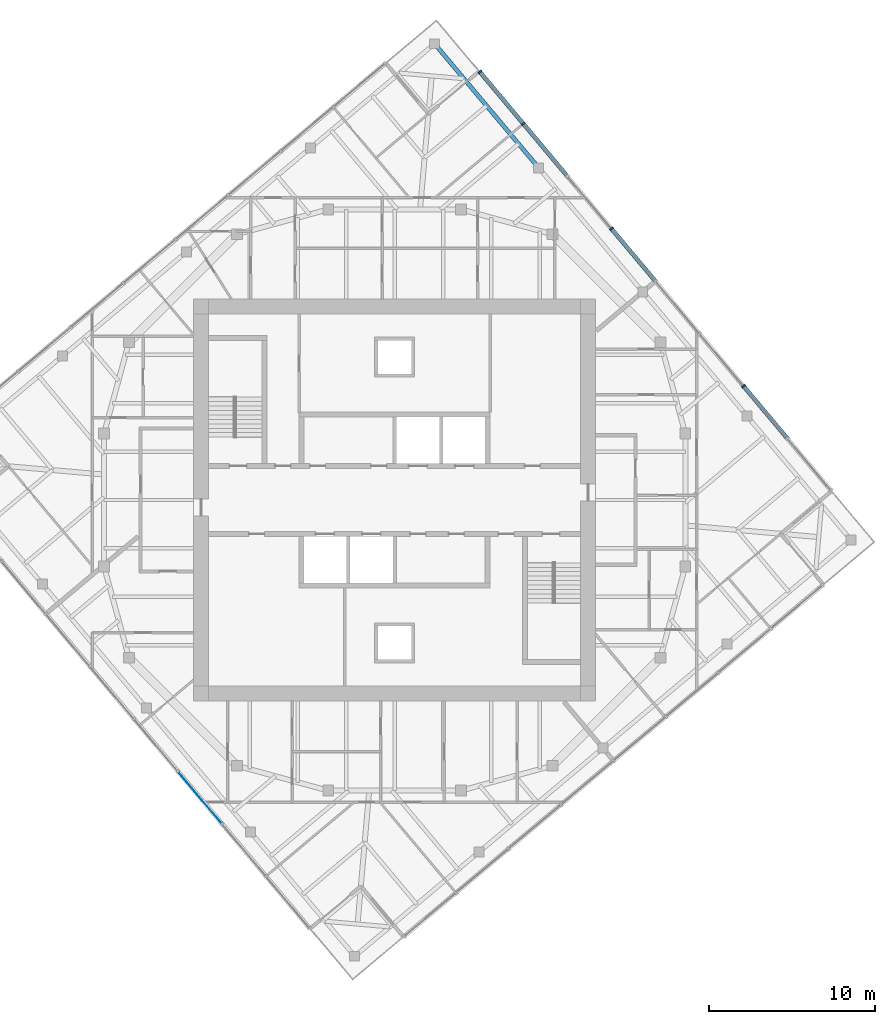
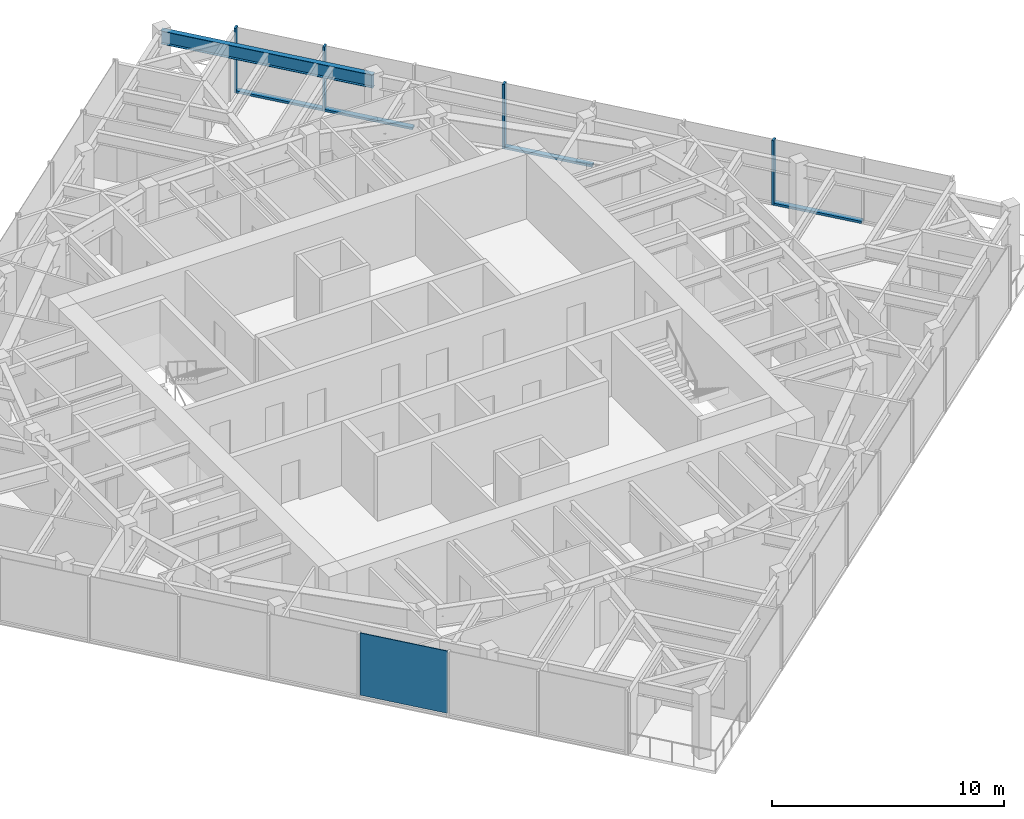
# One storey, part 5 of 12: 8 members, 1 beam, 1 plate, 2 elements without a shape of their own.
"""IFC4 building model written with IfcOpenShell, lengths in metres."""

import ifcopenshell
import ifcopenshell.guid

model = None  # the IFC model being written
_history = None  # IfcOwnerHistory: only IFC2X3 demands one
_inside = {}  # id of a spatial element -> (the spatial element, [elements in it])
_under = {}  # id of a project, library or spatial element -> (it, [spatial elements below it])
_declared = {}  # id of a project -> (the project, [libraries it declares])
_typed = {}  # id of a type object -> (the type object, [elements of that type])
_made_of = {}  # id of a material, layer set ... -> (it, [elements and type objects made of it])


def new_model(schema):
    """Start an empty IFC model of exactly this schema.

    Asked for "IFC4X3", IfcOpenShell would pick the latest addendum, in which some entities
    have other attributes; the version numbers below select the first issue.
    IFC2X3 requires an IfcOwnerHistory on every rooted entity: one is made here for all.
    """
    global model, _history
    if schema == "IFC4X3":
        model = ifcopenshell.file(schema_version=(4, 3, 0, 0))
    else:
        model = ifcopenshell.file(schema=schema)
    _inside.clear()
    _under.clear()
    _declared.clear()
    _typed.clear()
    _made_of.clear()
    _history = None
    if model.schema == "IFC2X3":
        org = make("IfcOrganization", Name="unknown")
        user = make(
            "IfcPersonAndOrganization",
            ThePerson=make("IfcPerson", FamilyName="unknown"),
            TheOrganization=org,
        )
        app = make(
            "IfcApplication",
            ApplicationDeveloper=org,
            Version="unknown",
            ApplicationFullName="unknown",
            ApplicationIdentifier="unknown",
        )
        _history = make(
            "IfcOwnerHistory",
            OwningUser=user,
            OwningApplication=app,
            ChangeAction="ADDED",
            CreationDate=0,
        )
    return model


def make(cls, **values):
    """One entity of the class cls with the attributes given. An attribute that is None is left unset."""
    return model.create_entity(
        cls, **{name: value for name, value in values.items() if value is not None}
    )


def rooted(cls, **values):
    """An entity with a GlobalId (a new one), such as an element, a storey or a relation."""
    return make(cls, GlobalId=ifcopenshell.guid.new(), OwnerHistory=_history, **values)


def si_unit(unit_type, name, prefix=None):
    """IfcSIUnit, for example si_unit("LENGTHUNIT", "METRE", prefix="MILLI")."""
    return make("IfcSIUnit", UnitType=unit_type, Prefix=prefix, Name=name)


def assignment(units):
    """IfcUnitAssignment: the units of a project."""
    return None if units is None else make("IfcUnitAssignment", Units=units)


def point(xyz):
    """IfcCartesianPoint."""
    return None if xyz is None else make("IfcCartesianPoint", Coordinates=xyz)


def direction(xyz):
    """IfcDirection."""
    return None if xyz is None else make("IfcDirection", DirectionRatios=xyz)


def frame(location, z_axis=None, x_axis=None):
    """IfcAxis2Placement3D, a coordinate frame: its origin and axes. An axis left out is left unset."""
    return make(
        "IfcAxis2Placement3D",
        Location=point(location),
        Axis=direction(z_axis),
        RefDirection=direction(x_axis),
    )


def frame_2d(location, x_axis=None):
    """IfcAxis2Placement2D, a coordinate frame in the plane: its origin and x axis."""
    return make(
        "IfcAxis2Placement2D", Location=point(location), RefDirection=direction(x_axis)
    )


def origin():
    """The frame at (0, 0, 0) with its axes left unset."""
    return frame((0.0, 0.0, 0.0))


def origin_2d():
    """The frame at (0, 0) in the plane with its x axis left unset."""
    return frame_2d((0.0, 0.0))


def place(relative_to, where):
    """IfcLocalPlacement: puts the frame where relative to a parent placement (None: the world)."""
    return make(
        "IfcLocalPlacement", PlacementRelTo=relative_to, RelativePlacement=where
    )


def context(
    kind, dimensions, precision=None, world=None, true_north=None, identifier=None
):
    """IfcGeometricRepresentationContext, for example the 3D "Model" context."""
    return make(
        "IfcGeometricRepresentationContext",
        ContextIdentifier=identifier,
        ContextType=kind,
        CoordinateSpaceDimension=dimensions,
        Precision=precision,
        WorldCoordinateSystem=world,
        TrueNorth=true_north,
    )


def subcontext(parent, identifier, kind, view, scale=None):
    """IfcGeometricRepresentationSubContext, for example "Body" below "Model"."""
    return make(
        "IfcGeometricRepresentationSubContext",
        ContextIdentifier=identifier,
        ContextType=kind,
        ParentContext=parent,
        TargetScale=scale,
        TargetView=view,
    )


def project(units=None, contexts=None):
    """IfcProject with its units and contexts."""
    return rooted(
        "IfcProject",
        Name="project",
        RepresentationContexts=contexts,
        UnitsInContext=assignment(units),
    )


def spatial(cls, under=None, at=None, **own):
    """A site, building, storey or space (cls), placed at a placement, below another one or the project."""
    s = rooted(cls, ObjectPlacement=at, **own)
    if under is not None:
        _under.setdefault(under.id(), (under, []))[1].append(s)
    return s


def profile(cls, at=None, kind="AREA", **sizes):
    """A parametric profile (cls). Its sizes go by their IFC names, for example OverallWidth=200.0."""
    return make(cls, ProfileType=kind, Position=at, **sizes)


def rectangle(**sizes):
    """IfcRectangleProfileDef."""
    return profile("IfcRectangleProfileDef", **sizes)


def i_section(**sizes):
    """IfcIShapeProfileDef."""
    return profile("IfcIShapeProfileDef", **sizes)


def extrude(swept, where, along, depth):
    """IfcExtrudedAreaSolid: the profile swept, set in the frame where, extruded along a direction by depth."""
    return make(
        "IfcExtrudedAreaSolid",
        SweptArea=swept,
        Position=where,
        ExtrudedDirection=direction(along),
        Depth=depth,
    )


def shape(context_of_items, identifier, shape_type, items):
    """IfcShapeRepresentation: the items that make up one representation, for example the "Body"."""
    return make(
        "IfcShapeRepresentation",
        ContextOfItems=context_of_items,
        RepresentationIdentifier=identifier,
        RepresentationType=shape_type,
        Items=items,
    )


def material(Name=None, Category=None):
    """IfcMaterial."""
    return make("IfcMaterial", Name=Name, Category=Category)


def layer(
    of_material, thickness, ventilated=None, Name=None, Category=None, Priority=None
):
    """IfcMaterialLayer: one layer of a wall or slab, of a material (None: an air gap)."""
    return make(
        "IfcMaterialLayer",
        Material=of_material,
        LayerThickness=thickness,
        IsVentilated=ventilated,
        Name=Name,
        Category=Category,
        Priority=Priority,
    )


def layer_set(layers, Name=None):
    """IfcMaterialLayerSet."""
    return make("IfcMaterialLayerSet", MaterialLayers=layers, LayerSetName=Name)


def material_profile(
    of_material, cross_section, Name=None, Category=None, Priority=None
):
    """IfcMaterialProfile: a cross section and its material."""
    return make(
        "IfcMaterialProfile",
        Name=Name,
        Material=of_material,
        Profile=cross_section,
        Priority=Priority,
        Category=Category,
    )


def profile_set(profiles, Name=None, composite=None):
    """IfcMaterialProfileSet."""
    return make(
        "IfcMaterialProfileSet",
        Name=Name,
        MaterialProfiles=profiles,
        CompositeProfile=composite,
    )


def made_of(thing, what):
    """Note that an element or type object is made of a material, layer set ...; save() writes the relation."""
    if what is not None:
        _made_of.setdefault(what.id(), (what, []))[1].append(thing)
    return thing


def type_object(cls, material=None, **own):
    """A type object (cls), such as IfcWallType, which elements share."""
    return made_of(rooted(cls, **own), material)


def element(
    cls,
    number,
    at=None,
    inside=None,
    cuts=None,
    type_object=None,
    material=None,
    context=None,
    identifier="Body",
    shape_type=None,
    held_by="IfcProductDefinitionShape",
    body=None,
    shapes=None,
    **own,
):
    """One element of the class cls, such as IfcWall. Its Tag is "e" and its number.

    at: its placement. inside: the storey or other place that contains it. cuts: it is an
    opening in that element (IfcRelVoidsElement). A single representation is given by context,
    identifier, shape_type and body (its items); several are given by shapes. held_by: the class
    of the entity that holds the representations. save() writes the other relations.
    """
    e = rooted(cls, Tag="e%d" % number, ObjectPlacement=at, **own)
    if body is not None:
        shapes = [shape(context, identifier, shape_type, body)]
    if shapes is not None:
        e.Representation = make(held_by, Representations=shapes)
    if inside is not None:
        _inside.setdefault(inside.id(), (inside, []))[1].append(e)
    if cuts is not None:
        rooted(
            "IfcRelVoidsElement", RelatingBuildingElement=cuts, RelatedOpeningElement=e
        )
    if type_object is not None:
        _typed.setdefault(type_object.id(), (type_object, []))[1].append(e)
    return made_of(e, material)


def aggregate(whole, parts):
    """IfcRelAggregates: a whole, such as a stair, and the parts it consists of."""
    return rooted("IfcRelAggregates", RelatingObject=whole, RelatedObjects=parts)


def save(model, path):
    """Write the relations noted so far, then the file.

    IfcRelAggregates (storeys below a building ...), IfcRelContainedInSpatialStructure (elements
    in a storey), IfcRelDefinesByType, IfcRelAssociatesMaterial and IfcRelDeclares: one each for
    every whole, place, type object, material and project.
    """
    for whole, parts in _under.values():
        aggregate(whole, parts)
    for where, things in _inside.values():
        rooted(
            "IfcRelContainedInSpatialStructure",
            RelatedElements=things,
            RelatingStructure=where,
        )
    for kind, things in _typed.values():
        rooted("IfcRelDefinesByType", RelatedObjects=things, RelatingType=kind)
    for what, things in _made_of.values():
        rooted("IfcRelAssociatesMaterial", RelatedObjects=things, RelatingMaterial=what)
    for by, libraries in _declared.values():
        rooted("IfcRelDeclares", RelatingContext=by, RelatedDefinitions=libraries)
    model.write(path)


model = new_model("IFC4")

# Units and contexts
model_context = context("Model", 3, precision=1e-05, world=origin(), true_north=direction((0.0, 1.0)))
body_context = subcontext(model_context, "Body", "Model", "MODEL_VIEW")
ifc_project = project(units=[si_unit("LENGTHUNIT", "METRE"), si_unit("AREAUNIT", "SQUARE_METRE"), si_unit("VOLUMEUNIT", "CUBIC_METRE"), si_unit("PLANEANGLEUNIT", "RADIAN"), si_unit("MASSUNIT", "GRAM", prefix="KILO")], contexts=[model_context])

# Site, building, storey
site_placement = place(None, origin())
site = spatial("IfcSite", under=ifc_project, at=site_placement, CompositionType="ELEMENT")
building_placement = place(site_placement, origin())
building = spatial("IfcBuilding", under=site, at=building_placement, Name="Torsade Residences", CompositionType="ELEMENT")
storey_placement = place(building_placement, frame((0.0, 0.0, 296.39990234375)))
storey = spatial("IfcBuildingStorey", under=building, at=storey_placement, Name="L82", CompositionType="ELEMENT", Elevation=296.39990234375)

# Beam
ifc_material_1 = material(Name="Steel grade 300", Category="steel")
ifc_material_profile_1 = material_profile(ifc_material_1, i_section(OverallWidth=0.25, OverallDepth=0.699951171875, WebThickness=0.010009765625, FlangeThickness=0.02001953125, at=origin_2d()), Name="700WB130")
ifc_profile_set_1 = profile_set([ifc_material_profile_1], Name="Steel grade 300")
beam_type = type_object("IfcBeamType", Name="EDGE BEAM 700WB130", PredefinedType="SPANDREL", material=ifc_profile_set_1)
beam_placement = place(storey_placement, frame((48.670654296875, 50.003173828125, 2.85009765625), z_axis=(-0.642779160279, 0.766051532934, 0.0), x_axis=(-0.766051532934, -0.642779160279, 0.0)))
element("IfcBeam", 1, at=beam_placement, inside=storey, type_object=beam_type, Name="Edge beam 08 L83", PredefinedType="SPANDREL", context=body_context, shape_type="SweptSolid", body=[
    extrude(i_section(OverallWidth=0.25, OverallDepth=0.699951171875, WebThickness=0.010009765625, FlangeThickness=0.02001953125, at=origin_2d()), origin(), (0.0, 0.0, 1.0), 9.75),
])

# Curtain wall, members
ifc_material_2 = material(Name="Aluminium and glass", Category="aluminium")
curtain_wall_type = type_object("IfcCurtainWallType", Name="FRITTED GLASS CURTAIN WALL HIGH ZONE", PredefinedType="NOTDEFINED", material=ifc_material_2)
curtain_wall_1_placement = place(storey_placement, origin())
curtain_wall_1 = element("IfcCurtainWall", 2, at=curtain_wall_1_placement, inside=storey, type_object=curtain_wall_type, Name="Curtain wall L82 face 4", PredefinedType="NOTDEFINED")
ifc_material_3 = material(Name="Aluminium mullion", Category="aluminium")
ifc_material_profile_2 = material_profile(ifc_material_3, rectangle(XDim=0.25, YDim=0.10009765625, at=origin_2d()), Name="HIGH ZONE CURTAIN WALL MULLION 250x100")
ifc_profile_set_2 = profile_set([ifc_material_profile_2], Name="Aluminium mullion")
member_type_1 = type_object("IfcMemberType", Name="HIGH ZONE CURTAIN WALL MULLION 250x100", PredefinedType="MULLION", material=ifc_profile_set_2)
member_1_placement = place(storey_placement, frame((61.0068359375, 36.857177734375, 0.0), z_axis=(0.0, 0.0, 1.0), x_axis=(-0.766044437106, -0.642787616853, 0.0)))
member_1 = element("IfcMember", 3, at=member_1_placement, type_object=member_type_1, Name="Mullion 3", PredefinedType="MULLION", context=body_context, shape_type="SweptSolid", body=[
    extrude(rectangle(XDim=0.25, YDim=0.10009765625, at=origin_2d()), origin(), (0.0, 0.0, 1.0), 3.400146484375),
])
member_2_placement = place(storey_placement, frame((53.052490234375, 46.337158203125, 0.0), z_axis=(0.0, 0.0, 1.0), x_axis=(-0.766044437106, -0.642787616853, 0.0)))
member_2 = element("IfcMember", 4, at=member_2_placement, type_object=member_type_1, Name="Mullion 6", PredefinedType="MULLION", context=body_context, shape_type="SweptSolid", body=[
    extrude(rectangle(XDim=0.25, YDim=0.10009765625, at=origin_2d()), origin(), (0.0, 0.0, 1.0), 3.400146484375),
])
member_3_placement = place(storey_placement, frame((47.74951171875, 52.656982421875, 0.0), z_axis=(0.0, 0.0, 1.0), x_axis=(-0.766044437106, -0.642787616853, 0.0)))
member_3 = element("IfcMember", 5, at=member_3_placement, type_object=member_type_1, Name="Mullion 8", PredefinedType="MULLION", context=body_context, shape_type="SweptSolid", body=[
    extrude(rectangle(XDim=0.25, YDim=0.10009765625, at=origin_2d()), origin(), (0.0, 0.0, 1.0), 3.400146484375),
])
member_4_placement = place(storey_placement, frame((45.130126953125, 55.778564453125, 0.0), z_axis=(0.0, 0.0, 1.0), x_axis=(-0.766044437106, -0.642787616853, 0.0)))
member_4 = element("IfcMember", 6, at=member_4_placement, type_object=member_type_1, Name="Mullion 9", PredefinedType="MULLION", context=body_context, shape_type="SweptSolid", body=[
    extrude(rectangle(XDim=0.25, YDim=0.10009765625, at=origin_2d()), origin(), (0.0, 0.0, 1.0), 3.400146484375),
])
ifc_material_4 = material(Name="Aluminium transom", Category="aluminium")
ifc_material_profile_3 = material_profile(ifc_material_4, rectangle(XDim=0.25, YDim=0.1201171875, at=origin_2d()), Name="HIGH ZONE CURTAIN WALL TRANSOM 250x120")
ifc_profile_set_3 = profile_set([ifc_material_profile_3], Name="Aluminium transom")
member_type_2 = type_object("IfcMemberType", Name="HIGH ZONE CURTAIN WALL TRANSOM 250x120", PredefinedType="USERDEFINED", material=ifc_profile_set_3)
member_5_placement = place(storey_placement, frame((63.626220703125, 33.735595703125, 0.06005859375), z_axis=(-0.6427581255, 0.766069182322, 0.0), x_axis=(-0.766069182322, -0.6427581255, 0.0)))
member_5 = element("IfcMember", 7, at=member_5_placement, type_object=member_type_2, Name="Transom 2.1", ObjectType="TRANSOM", PredefinedType="USERDEFINED", context=body_context, shape_type="SweptSolid", body=[
    extrude(rectangle(XDim=0.25, YDim=0.1201171875, at=origin_2d()), origin(), (0.0, 0.0, 1.0), 4.025146484375),
])
member_6_placement = place(storey_placement, frame((55.671875, 43.21533203125, 0.06005859375), z_axis=(-0.642793719372, 0.766039316443, 0.0), x_axis=(-0.766039316443, -0.642793719372, 0.0)))
member_6 = element("IfcMember", 8, at=member_6_placement, type_object=member_type_2, Name="Transom 5.1", ObjectType="TRANSOM", PredefinedType="USERDEFINED", context=body_context, shape_type="SweptSolid", body=[
    extrude(rectangle(XDim=0.25, YDim=0.1201171875, at=origin_2d()), origin(), (0.0, 0.0, 1.0), 4.025146484375),
])
member_7_placement = place(storey_placement, frame((50.36865234375, 49.535400390625, 0.06005859375), z_axis=(-0.642787992616, 0.766044121803, 0.0), x_axis=(-0.766044121803, -0.642787992616, 0.0)))
member_7 = element("IfcMember", 9, at=member_7_placement, type_object=member_type_2, Name="Transom 7.1", ObjectType="TRANSOM", PredefinedType="USERDEFINED", context=body_context, shape_type="SweptSolid", body=[
    extrude(rectangle(XDim=0.25, YDim=0.1201171875, at=origin_2d()), origin(), (0.0, 0.0, 1.0), 4.02490234375),
])
member_8_placement = place(storey_placement, frame((47.71728515625, 52.6953125, 0.06005859375), z_axis=(-0.642814619413, 0.766021778456, 0.0), x_axis=(-0.766021778456, -0.642814619413, 0.0)))
member_8 = element("IfcMember", 10, at=member_8_placement, type_object=member_type_2, Name="Transom 8.1", ObjectType="TRANSOM", PredefinedType="USERDEFINED", context=body_context, shape_type="SweptSolid", body=[
    extrude(rectangle(XDim=0.25, YDim=0.1201171875, at=origin_2d()), origin(), (0.0, 0.0, 1.0), 3.97509765625),
])
aggregate(curtain_wall_1, [member_1, member_2, member_3, member_4, member_5, member_6, member_7, member_8])

# Curtain wall, plate
curtain_wall_2_placement = place(storey_placement, origin())
curtain_wall_2 = element("IfcCurtainWall", 11, at=curtain_wall_2_placement, inside=storey, type_object=curtain_wall_type, Name="Curtain wall L82 face 10", PredefinedType="NOTDEFINED")
ifc_material_5 = material(Name="Laminated glass", Category="glass")
ifc_layer = layer(ifc_material_5, 0.0400390625)
ifc_layer_set = layer_set([ifc_layer], Name="Laminated glass")
plate_type = type_object("IfcPlateType", Name="OPERABLE VENT PANEL", PredefinedType="CURTAIN_PANEL", material=ifc_layer_set)
plate_placement = place(storey_placement, frame((28.2734375, 12.0830078125, 0.1201171875), z_axis=(0.0, 0.0, 1.0), x_axis=(0.642787616853, -0.766044437106, 0.0)))
plate = element("IfcPlate", 12, at=plate_placement, type_object=plate_type, Name="Panel 6", PredefinedType="CURTAIN_PANEL", context=body_context, shape_type="SweptSolid", body=[
    extrude(rectangle(XDim=4.02490234375, YDim=0.0400390625, at=origin_2d()), origin(), (0.0, 0.0, 1.0), 3.280029296875),
])
aggregate(curtain_wall_2, [plate])

save(model, "model.ifc")
